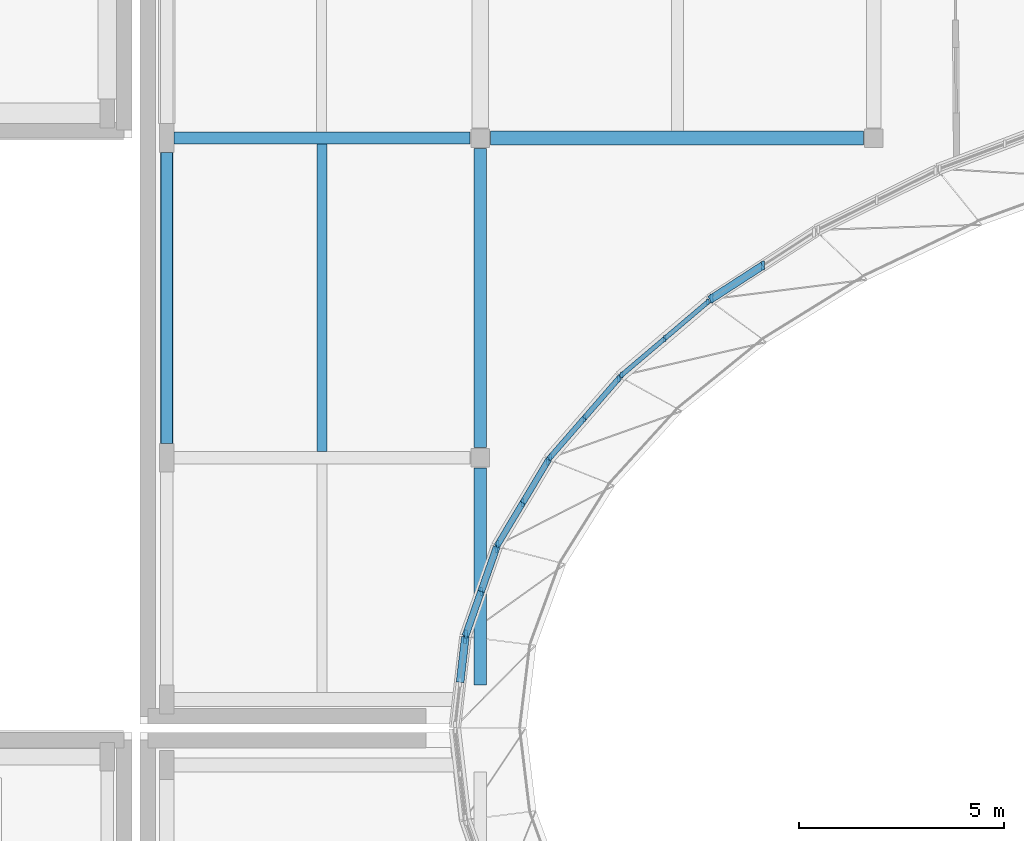
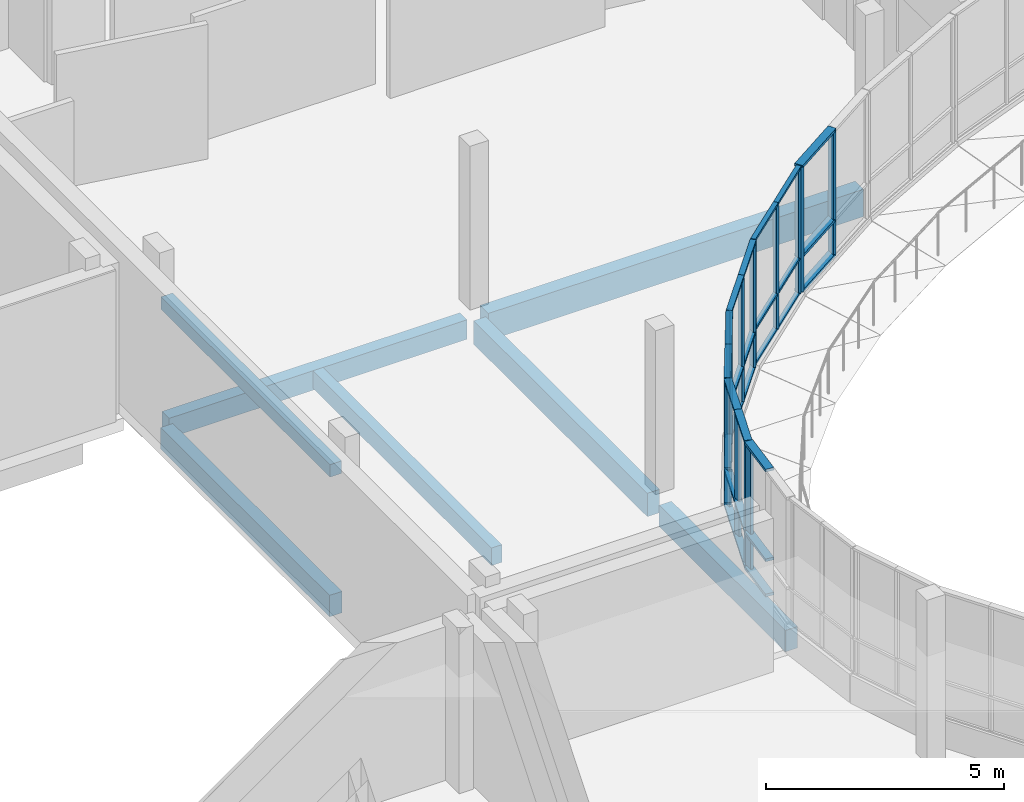
# One storey, part 20 of 73: 45 members, 7 beams, 6 elements without a shape of their own.
"""IFC4 building model written with IfcOpenShell, lengths in metres."""

import ifcopenshell
import ifcopenshell.guid

model = None  # the IFC model being written
_history = None  # IfcOwnerHistory: only IFC2X3 demands one
_inside = {}  # id of a spatial element -> (the spatial element, [elements in it])
_under = {}  # id of a project, library or spatial element -> (it, [spatial elements below it])
_declared = {}  # id of a project -> (the project, [libraries it declares])
_typed = {}  # id of a type object -> (the type object, [elements of that type])
_made_of = {}  # id of a material, layer set ... -> (it, [elements and type objects made of it])


def new_model(schema):
    """Start an empty IFC model of exactly this schema.

    Asked for "IFC4X3", IfcOpenShell would pick the latest addendum, in which some entities
    have other attributes; the version numbers below select the first issue.
    IFC2X3 requires an IfcOwnerHistory on every rooted entity: one is made here for all.
    """
    global model, _history
    if schema == "IFC4X3":
        model = ifcopenshell.file(schema_version=(4, 3, 0, 0))
    else:
        model = ifcopenshell.file(schema=schema)
    _inside.clear()
    _under.clear()
    _declared.clear()
    _typed.clear()
    _made_of.clear()
    _history = None
    if model.schema == "IFC2X3":
        org = make("IfcOrganization", Name="unknown")
        user = make(
            "IfcPersonAndOrganization",
            ThePerson=make("IfcPerson", FamilyName="unknown"),
            TheOrganization=org,
        )
        app = make(
            "IfcApplication",
            ApplicationDeveloper=org,
            Version="unknown",
            ApplicationFullName="unknown",
            ApplicationIdentifier="unknown",
        )
        _history = make(
            "IfcOwnerHistory",
            OwningUser=user,
            OwningApplication=app,
            ChangeAction="ADDED",
            CreationDate=0,
        )
    return model


def make(cls, **values):
    """One entity of the class cls with the attributes given. An attribute that is None is left unset."""
    return model.create_entity(
        cls, **{name: value for name, value in values.items() if value is not None}
    )


def rooted(cls, **values):
    """An entity with a GlobalId (a new one), such as an element, a storey or a relation."""
    return make(cls, GlobalId=ifcopenshell.guid.new(), OwnerHistory=_history, **values)


def si_unit(unit_type, name, prefix=None):
    """IfcSIUnit, for example si_unit("LENGTHUNIT", "METRE", prefix="MILLI")."""
    return make("IfcSIUnit", UnitType=unit_type, Prefix=prefix, Name=name)


def assignment(units):
    """IfcUnitAssignment: the units of a project."""
    return None if units is None else make("IfcUnitAssignment", Units=units)


def point(xyz):
    """IfcCartesianPoint."""
    return None if xyz is None else make("IfcCartesianPoint", Coordinates=xyz)


def direction(xyz):
    """IfcDirection."""
    return None if xyz is None else make("IfcDirection", DirectionRatios=xyz)


def frame(location, z_axis=None, x_axis=None):
    """IfcAxis2Placement3D, a coordinate frame: its origin and axes. An axis left out is left unset."""
    return make(
        "IfcAxis2Placement3D",
        Location=point(location),
        Axis=direction(z_axis),
        RefDirection=direction(x_axis),
    )


def frame_2d(location, x_axis=None):
    """IfcAxis2Placement2D, a coordinate frame in the plane: its origin and x axis."""
    return make(
        "IfcAxis2Placement2D", Location=point(location), RefDirection=direction(x_axis)
    )


def origin():
    """The frame at (0, 0, 0) with its axes left unset."""
    return frame((0.0, 0.0, 0.0))


def origin_2d():
    """The frame at (0, 0) in the plane with its x axis left unset."""
    return frame_2d((0.0, 0.0))


def place(relative_to, where):
    """IfcLocalPlacement: puts the frame where relative to a parent placement (None: the world)."""
    return make(
        "IfcLocalPlacement", PlacementRelTo=relative_to, RelativePlacement=where
    )


def context(
    kind, dimensions, precision=None, world=None, true_north=None, identifier=None
):
    """IfcGeometricRepresentationContext, for example the 3D "Model" context."""
    return make(
        "IfcGeometricRepresentationContext",
        ContextIdentifier=identifier,
        ContextType=kind,
        CoordinateSpaceDimension=dimensions,
        Precision=precision,
        WorldCoordinateSystem=world,
        TrueNorth=true_north,
    )


def subcontext(parent, identifier, kind, view, scale=None):
    """IfcGeometricRepresentationSubContext, for example "Body" below "Model"."""
    return make(
        "IfcGeometricRepresentationSubContext",
        ContextIdentifier=identifier,
        ContextType=kind,
        ParentContext=parent,
        TargetScale=scale,
        TargetView=view,
    )


def project(units=None, contexts=None):
    """IfcProject with its units and contexts."""
    return rooted(
        "IfcProject",
        Name="project",
        RepresentationContexts=contexts,
        UnitsInContext=assignment(units),
    )


def spatial(cls, under=None, at=None, **own):
    """A site, building, storey or space (cls), placed at a placement, below another one or the project."""
    s = rooted(cls, ObjectPlacement=at, **own)
    if under is not None:
        _under.setdefault(under.id(), (under, []))[1].append(s)
    return s


def profile(cls, at=None, kind="AREA", **sizes):
    """A parametric profile (cls). Its sizes go by their IFC names, for example OverallWidth=200.0."""
    return make(cls, ProfileType=kind, Position=at, **sizes)


def rectangle(**sizes):
    """IfcRectangleProfileDef."""
    return profile("IfcRectangleProfileDef", **sizes)


def extrude(swept, where, along, depth):
    """IfcExtrudedAreaSolid: the profile swept, set in the frame where, extruded along a direction by depth."""
    return make(
        "IfcExtrudedAreaSolid",
        SweptArea=swept,
        Position=where,
        ExtrudedDirection=direction(along),
        Depth=depth,
    )


def shape(context_of_items, identifier, shape_type, items):
    """IfcShapeRepresentation: the items that make up one representation, for example the "Body"."""
    return make(
        "IfcShapeRepresentation",
        ContextOfItems=context_of_items,
        RepresentationIdentifier=identifier,
        RepresentationType=shape_type,
        Items=items,
    )


def material(Name=None, Category=None):
    """IfcMaterial."""
    return make("IfcMaterial", Name=Name, Category=Category)


def material_profile(
    of_material, cross_section, Name=None, Category=None, Priority=None
):
    """IfcMaterialProfile: a cross section and its material."""
    return make(
        "IfcMaterialProfile",
        Name=Name,
        Material=of_material,
        Profile=cross_section,
        Priority=Priority,
        Category=Category,
    )


def profile_set(profiles, Name=None, composite=None):
    """IfcMaterialProfileSet."""
    return make(
        "IfcMaterialProfileSet",
        Name=Name,
        MaterialProfiles=profiles,
        CompositeProfile=composite,
    )


def made_of(thing, what):
    """Note that an element or type object is made of a material, layer set ...; save() writes the relation."""
    if what is not None:
        _made_of.setdefault(what.id(), (what, []))[1].append(thing)
    return thing


def type_object(cls, material=None, **own):
    """A type object (cls), such as IfcWallType, which elements share."""
    return made_of(rooted(cls, **own), material)


def element(
    cls,
    number,
    at=None,
    inside=None,
    cuts=None,
    type_object=None,
    material=None,
    context=None,
    identifier="Body",
    shape_type=None,
    held_by="IfcProductDefinitionShape",
    body=None,
    shapes=None,
    **own,
):
    """One element of the class cls, such as IfcWall. Its Tag is "e" and its number.

    at: its placement. inside: the storey or other place that contains it. cuts: it is an
    opening in that element (IfcRelVoidsElement). A single representation is given by context,
    identifier, shape_type and body (its items); several are given by shapes. held_by: the class
    of the entity that holds the representations. save() writes the other relations.
    """
    e = rooted(cls, Tag="e%d" % number, ObjectPlacement=at, **own)
    if body is not None:
        shapes = [shape(context, identifier, shape_type, body)]
    if shapes is not None:
        e.Representation = make(held_by, Representations=shapes)
    if inside is not None:
        _inside.setdefault(inside.id(), (inside, []))[1].append(e)
    if cuts is not None:
        rooted(
            "IfcRelVoidsElement", RelatingBuildingElement=cuts, RelatedOpeningElement=e
        )
    if type_object is not None:
        _typed.setdefault(type_object.id(), (type_object, []))[1].append(e)
    return made_of(e, material)


def aggregate(whole, parts):
    """IfcRelAggregates: a whole, such as a stair, and the parts it consists of."""
    return rooted("IfcRelAggregates", RelatingObject=whole, RelatedObjects=parts)


def save(model, path):
    """Write the relations noted so far, then the file.

    IfcRelAggregates (storeys below a building ...), IfcRelContainedInSpatialStructure (elements
    in a storey), IfcRelDefinesByType, IfcRelAssociatesMaterial and IfcRelDeclares: one each for
    every whole, place, type object, material and project.
    """
    for whole, parts in _under.values():
        aggregate(whole, parts)
    for where, things in _inside.values():
        rooted(
            "IfcRelContainedInSpatialStructure",
            RelatedElements=things,
            RelatingStructure=where,
        )
    for kind, things in _typed.values():
        rooted("IfcRelDefinesByType", RelatedObjects=things, RelatingType=kind)
    for what, things in _made_of.values():
        rooted("IfcRelAssociatesMaterial", RelatedObjects=things, RelatingMaterial=what)
    for by, libraries in _declared.values():
        rooted("IfcRelDeclares", RelatingContext=by, RelatedDefinitions=libraries)
    model.write(path)


model = new_model("IFC4")

# Units and contexts
model_context = context("Model", 3, precision=1e-05, world=origin(), true_north=direction((0.0, 1.0)))
body_context = subcontext(model_context, "Body", "Model", "MODEL_VIEW")
ifc_project = project(units=[si_unit("LENGTHUNIT", "METRE"), si_unit("AREAUNIT", "SQUARE_METRE"), si_unit("VOLUMEUNIT", "CUBIC_METRE"), si_unit("PLANEANGLEUNIT", "RADIAN"), si_unit("MASSUNIT", "GRAM", prefix="KILO")], contexts=[model_context])

# Site, building, storey
site_placement = place(None, origin())
site = spatial("IfcSite", under=ifc_project, at=site_placement, CompositionType="ELEMENT")
building_placement = place(site_placement, origin())
building = spatial("IfcBuilding", under=site, at=building_placement, Name="Mzevani Central Library", CompositionType="ELEMENT")
storey_placement = place(building_placement, frame((0.0, 0.0, 9.60009765625)))
storey = spatial("IfcBuildingStorey", under=building, at=storey_placement, Name="L02", CompositionType="ELEMENT", Elevation=9.60009765625)

# Beams
ifc_material_1 = material(Name="Concrete C35/45", Category="concrete")
ifc_material_profile_1 = material_profile(ifc_material_1, rectangle(XDim=0.300048828125, YDim=0.5, at=origin_2d()), Name="RC B300x500")
ifc_profile_set_1 = profile_set([ifc_material_profile_1], Name="Concrete C35/45")
beam_type_1 = type_object("IfcBeamType", Name="Beam RC 300x500", PredefinedType="BEAM", material=ifc_profile_set_1)
beam_1_placement = place(storey_placement, frame((46.925048828125, 90.39990234375, -0.530029296875), z_axis=(1.0, 0.0, 0.0), x_axis=(0.0, 1.0, 0.0)))
element("IfcBeam", 1, at=beam_1_placement, inside=storey, type_object=beam_type_1, Name="L02 V3 Girder B-01 (560)", PredefinedType="BEAM", context=body_context, shape_type="SweptSolid", body=[
    extrude(rectangle(XDim=0.300048828125, YDim=0.5, at=origin_2d()), origin(), (0.0, 0.0, 1.0), 7.224853515625),
])
ifc_material_profile_2 = material_profile(ifc_material_1, rectangle(XDim=0.300048828125, YDim=0.550048828125, at=origin_2d()), Name="RC B300x550")
ifc_profile_set_2 = profile_set([ifc_material_profile_2], Name="Concrete C35/45")
beam_type_2 = type_object("IfcBeamType", Name="Beam RC 300x550", PredefinedType="BEAM", material=ifc_profile_set_2)
beam_2_placement = place(storey_placement, frame((46.75, 82.949951171875, -0.55517578125), z_axis=(0.0, 1.0, 0.0), x_axis=(-1.0, 0.0, 0.0)))
element("IfcBeam", 2, at=beam_2_placement, inside=storey, type_object=beam_type_2, Name="L02 V3 Frame Beam B-02 (589)", PredefinedType="BEAM", context=body_context, shape_type="SweptSolid", body=[
    extrude(rectangle(XDim=0.300048828125, YDim=0.550048828125, at=origin_2d()), origin(), (0.0, 0.0, 1.0), 7.10009765625),
])
beam_3_placement = place(storey_placement, frame((54.39990234375, 77.050048828125, -0.55517578125), z_axis=(0.0, 1.0, 0.0), x_axis=(-1.0, 0.0, 0.0)))
element("IfcBeam", 3, at=beam_3_placement, inside=storey, type_object=beam_type_2, Name="L02 V3 Frame Beam B-02 (593)", PredefinedType="BEAM", context=body_context, shape_type="SweptSolid", body=[
    extrude(rectangle(XDim=0.300048828125, YDim=0.550048828125, at=origin_2d()), origin(), (0.0, 0.0, 1.0), 5.300048828125),
])
ifc_material_profile_3 = material_profile(ifc_material_1, rectangle(XDim=0.300048828125, YDim=0.60009765625, at=origin_2d()), Name="RC B300x600")
ifc_profile_set_3 = profile_set([ifc_material_profile_3], Name="Concrete C35/45")
beam_type_3 = type_object("IfcBeamType", Name="Beam RC 300x600", PredefinedType="BEAM", material=ifc_profile_set_3)
beam_4_placement = place(storey_placement, frame((54.39990234375, 82.85009765625, -0.580078125), z_axis=(0.0, 1.0, 0.0), x_axis=(-1.0, 0.0, 0.0)))
element("IfcBeam", 4, at=beam_4_placement, inside=storey, type_object=beam_type_3, Name="L02 V3 Frame Beam B-03 (594)", PredefinedType="BEAM", context=body_context, shape_type="SweptSolid", body=[
    extrude(rectangle(XDim=0.300048828125, YDim=0.60009765625, at=origin_2d()), origin(), (0.0, 0.0, 1.0), 7.2998046875),
])
ifc_material_profile_4 = material_profile(ifc_material_1, rectangle(XDim=0.35009765625, YDim=0.699951171875, at=origin_2d()), Name="RC B350x700")
ifc_profile_set_4 = profile_set([ifc_material_profile_4], Name="Concrete C35/45")
beam_type_4 = type_object("IfcBeamType", Name="Beam RC 350x700", PredefinedType="BEAM", material=ifc_profile_set_4)
beam_5_placement = place(storey_placement, frame((54.64990234375, 90.39990234375, -0.630126953125), z_axis=(1.0, 0.0, 0.0), x_axis=(0.0, 1.0, 0.0)))
element("IfcBeam", 5, at=beam_5_placement, inside=storey, type_object=beam_type_4, Name="L02 V3 Girder B-06 (561)", PredefinedType="BEAM", context=body_context, shape_type="SweptSolid", body=[
    extrude(rectangle(XDim=0.35009765625, YDim=0.699951171875, at=origin_2d()), origin(), (0.0, 0.0, 1.0), 9.10009765625),
])

# Curtain wall, members
ifc_material_2 = material(Name="Thermally broken aluminium and Low-E triple glazing", Category="aluminium")
curtain_wall_type_1 = type_object("IfcCurtainWallType", Name="Elliptical Court Unitised Curtain Wall", PredefinedType="NOTDEFINED", material=ifc_material_2)
curtain_wall_1_placement = place(storey_placement, origin())
curtain_wall_1 = element("IfcCurtainWall", 6, at=curtain_wall_1_placement, inside=storey, type_object=curtain_wall_type_1, Name="L02 Elliptical Court Curtain Wall 20", PredefinedType="NOTDEFINED")
ifc_material_3 = material(Name="Thermally broken aluminium AW-6060", Category="aluminium")
ifc_material_profile_5 = material_profile(ifc_material_3, rectangle(XDim=0.06005859375, YDim=0.139892578125, at=origin_2d()), Name="ALU M60x140")
ifc_profile_set_5 = profile_set([ifc_material_profile_5], Name="Thermally broken aluminium AW-6060")
member_type_1 = type_object("IfcMemberType", Name="CW Mullion 60x140", PredefinedType="MULLION", material=ifc_profile_set_5)
member_1_placement = place(storey_placement, frame((59.95556640625, 86.402099609375, 0.719970703125), z_axis=(0.0, 0.0, 1.0), x_axis=(1.0, 0.0, 0.0)))
member_1 = element("IfcMember", 7, at=member_1_placement, type_object=member_type_1, Name="L02 Elliptical Court Curtain Wall 20 Mullion 1", PredefinedType="MULLION", context=body_context, shape_type="SweptSolid", body=[
    extrude(rectangle(XDim=0.06005859375, YDim=0.139892578125, at=origin_2d()), origin(), (0.0, 0.0, 1.0), 3.199951171875),
])
member_2_placement = place(storey_placement, frame((58.903564453125, 85.50927734375, 0.719970703125), z_axis=(0.0, 0.0, 1.0), x_axis=(1.0, 0.0, 0.0)))
member_2 = element("IfcMember", 8, at=member_2_placement, type_object=member_type_1, Name="L02 Elliptical Court Curtain Wall 20 Mullion 2", PredefinedType="MULLION", context=body_context, shape_type="SweptSolid", body=[
    extrude(rectangle(XDim=0.06005859375, YDim=0.139892578125, at=origin_2d()), origin(), (0.0, 0.0, 1.0), 3.199951171875),
])
member_3_placement = place(storey_placement, frame((57.8515625, 84.616455078125, 0.719970703125), z_axis=(0.0, 0.0, 1.0), x_axis=(1.0, 0.0, 0.0)))
member_3 = element("IfcMember", 9, at=member_3_placement, type_object=member_type_1, Name="L02 Elliptical Court Curtain Wall 20 Mullion 3", PredefinedType="MULLION", context=body_context, shape_type="SweptSolid", body=[
    extrude(rectangle(XDim=0.06005859375, YDim=0.139892578125, at=origin_2d()), origin(), (0.0, 0.0, 1.0), 3.199951171875),
])

curtain_wall_2_placement = place(storey_placement, origin())
curtain_wall_2 = element("IfcCurtainWall", 10, at=curtain_wall_2_placement, inside=storey, type_object=curtain_wall_type_1, Name="L02 Elliptical Court Curtain Wall 21", PredefinedType="NOTDEFINED")
ifc_material_profile_6 = material_profile(ifc_material_3, rectangle(XDim=0.06005859375, YDim=0.159912109375, at=origin_2d()), Name="ALU M60x160")
ifc_profile_set_6 = profile_set([ifc_material_profile_6], Name="Thermally broken aluminium AW-6060")
member_type_2 = type_object("IfcMemberType", Name="CW Mullion 60x160", PredefinedType="MULLION", material=ifc_profile_set_6)
member_4_placement = place(storey_placement, frame((57.774658203125, 84.527587890625, 0.719970703125), z_axis=(0.0, 0.0, 1.0), x_axis=(1.0, 0.0, 0.0)))
member_4 = element("IfcMember", 11, at=member_4_placement, type_object=member_type_2, Name="L02 Elliptical Court Curtain Wall 21 Mullion 1", PredefinedType="MULLION", context=body_context, shape_type="SweptSolid", body=[
    extrude(rectangle(XDim=0.06005859375, YDim=0.159912109375, at=origin_2d()), origin(), (0.0, 0.0, 1.0), 3.199951171875),
])
member_5_placement = place(storey_placement, frame((56.939453125, 83.5673828125, 0.719970703125), z_axis=(0.0, 0.0, 1.0), x_axis=(1.0, 0.0, 0.0)))
member_5 = element("IfcMember", 12, at=member_5_placement, type_object=member_type_2, Name="L02 Elliptical Court Curtain Wall 21 Mullion 2", PredefinedType="MULLION", context=body_context, shape_type="SweptSolid", body=[
    extrude(rectangle(XDim=0.06005859375, YDim=0.159912109375, at=origin_2d()), origin(), (0.0, 0.0, 1.0), 3.199951171875),
])
member_6_placement = place(storey_placement, frame((56.1044921875, 82.607421875, 0.719970703125), z_axis=(0.0, 0.0, 1.0), x_axis=(1.0, 0.0, 0.0)))
member_6 = element("IfcMember", 13, at=member_6_placement, type_object=member_type_2, Name="L02 Elliptical Court Curtain Wall 21 Mullion 3", PredefinedType="MULLION", context=body_context, shape_type="SweptSolid", body=[
    extrude(rectangle(XDim=0.06005859375, YDim=0.159912109375, at=origin_2d()), origin(), (0.0, 0.0, 1.0), 3.199951171875),
])

curtain_wall_type_2 = type_object("IfcCurtainWallType", Name="Reading Hall Northlight Curtain Wall", PredefinedType="NOTDEFINED", material=ifc_material_2)
curtain_wall_3_placement = place(storey_placement, origin())
curtain_wall_3 = element("IfcCurtainWall", 14, at=curtain_wall_3_placement, inside=storey, type_object=curtain_wall_type_2, Name="L02 Elliptical Court Curtain Wall 22", PredefinedType="NOTDEFINED")
ifc_material_profile_7 = material_profile(ifc_material_3, rectangle(XDim=0.06005859375, YDim=0.179931640625, at=origin_2d()), Name="ALU M60x180")
ifc_profile_set_7 = profile_set([ifc_material_profile_7], Name="Thermally broken aluminium AW-6060")
member_type_3 = type_object("IfcMemberType", Name="CW Mullion 60x180", PredefinedType="MULLION", material=ifc_profile_set_7)
member_7_placement = place(storey_placement, frame((56.0419921875, 82.509033203125, 0.719970703125), z_axis=(0.0, 0.0, 1.0), x_axis=(1.0, 0.0, 0.0)))
member_7 = element("IfcMember", 15, at=member_7_placement, type_object=member_type_3, Name="L02 Elliptical Court Curtain Wall 22 Mullion 1", PredefinedType="MULLION", context=body_context, shape_type="SweptSolid", body=[
    extrude(rectangle(XDim=0.06005859375, YDim=0.179931640625, at=origin_2d()), origin(), (0.0, 0.0, 1.0), 3.199951171875),
])
member_8_placement = place(storey_placement, frame((55.43701171875, 81.498291015625, 0.719970703125), z_axis=(0.0, 0.0, 1.0), x_axis=(1.0, 0.0, 0.0)))
member_8 = element("IfcMember", 16, at=member_8_placement, type_object=member_type_3, Name="L02 Elliptical Court Curtain Wall 22 Mullion 2", PredefinedType="MULLION", context=body_context, shape_type="SweptSolid", body=[
    extrude(rectangle(XDim=0.06005859375, YDim=0.179931640625, at=origin_2d()), origin(), (0.0, 0.0, 1.0), 3.199951171875),
])
member_9_placement = place(storey_placement, frame((54.831787109375, 80.487548828125, 0.719970703125), z_axis=(0.0, 0.0, 1.0), x_axis=(1.0, 0.0, 0.0)))
member_9 = element("IfcMember", 17, at=member_9_placement, type_object=member_type_3, Name="L02 Elliptical Court Curtain Wall 22 Mullion 3", PredefinedType="MULLION", context=body_context, shape_type="SweptSolid", body=[
    extrude(rectangle(XDim=0.06005859375, YDim=0.179931640625, at=origin_2d()), origin(), (0.0, 0.0, 1.0), 3.199951171875),
])

curtain_wall_4_placement = place(storey_placement, origin())
curtain_wall_4 = element("IfcCurtainWall", 18, at=curtain_wall_4_placement, inside=storey, type_object=curtain_wall_type_1, Name="L02 Elliptical Court Curtain Wall 23", PredefinedType="NOTDEFINED")
ifc_material_profile_8 = material_profile(ifc_material_3, rectangle(XDim=0.06494140625, YDim=0.199951171875, at=origin_2d()), Name="ALU M65x200")
ifc_profile_set_8 = profile_set([ifc_material_profile_8], Name="Thermally broken aluminium AW-6060")
member_type_4 = type_object("IfcMemberType", Name="CW Mullion 65x200", PredefinedType="MULLION", material=ifc_profile_set_8)
member_10_placement = place(storey_placement, frame((54.787109375, 80.380615234375, 0.719970703125), z_axis=(0.0, 0.0, 1.0), x_axis=(1.0, 0.0, 0.0)))
member_10 = element("IfcMember", 19, at=member_10_placement, type_object=member_type_4, Name="L02 Elliptical Court Curtain Wall 23 Mullion 1", PredefinedType="MULLION", context=body_context, shape_type="SweptSolid", body=[
    extrude(rectangle(XDim=0.06494140625, YDim=0.199951171875, at=origin_2d()), origin(), (0.0, 0.0, 1.0), 3.199951171875),
])
member_11_placement = place(storey_placement, frame((54.4208984375, 79.33642578125, 0.719970703125), z_axis=(0.0, 0.0, 1.0), x_axis=(1.0, 0.0, 0.0)))
member_11 = element("IfcMember", 20, at=member_11_placement, type_object=member_type_4, Name="L02 Elliptical Court Curtain Wall 23 Mullion 2", PredefinedType="MULLION", context=body_context, shape_type="SweptSolid", body=[
    extrude(rectangle(XDim=0.06494140625, YDim=0.199951171875, at=origin_2d()), origin(), (0.0, 0.0, 1.0), 3.199951171875),
])
member_12_placement = place(storey_placement, frame((54.054443359375, 78.29248046875, 0.719970703125), z_axis=(0.0, 0.0, 1.0), x_axis=(1.0, 0.0, 0.0)))
member_12 = element("IfcMember", 21, at=member_12_placement, type_object=member_type_4, Name="L02 Elliptical Court Curtain Wall 23 Mullion 3", PredefinedType="MULLION", context=body_context, shape_type="SweptSolid", body=[
    extrude(rectangle(XDim=0.06494140625, YDim=0.199951171875, at=origin_2d()), origin(), (0.0, 0.0, 1.0), 3.199951171875),
])

curtain_wall_5_placement = place(storey_placement, origin())
curtain_wall_5 = element("IfcCurtainWall", 22, at=curtain_wall_5_placement, inside=storey, type_object=curtain_wall_type_2, Name="L02 Elliptical Court Curtain Wall 19", PredefinedType="NOTDEFINED")
ifc_material_profile_9 = material_profile(ifc_material_3, rectangle(XDim=0.070068359375, YDim=0.219970703125, at=origin_2d()), Name="ALU M70x220")
ifc_profile_set_9 = profile_set([ifc_material_profile_9], Name="Thermally broken aluminium AW-6060")
member_type_5 = type_object("IfcMemberType", Name="CW Mullion 70x220", PredefinedType="MULLION", material=ifc_profile_set_9)
member_13_placement = place(storey_placement, frame((61.296142578125, 87.291015625, 0.719970703125), z_axis=(0.0, 0.0, 1.0), x_axis=(1.0, 0.0, 0.0)))
member_13 = element("IfcMember", 23, at=member_13_placement, type_object=member_type_5, Name="L02 Elliptical Court Curtain Wall 19 Mullion 2", PredefinedType="MULLION", context=body_context, shape_type="SweptSolid", body=[
    extrude(rectangle(XDim=0.070068359375, YDim=0.219970703125, at=origin_2d()), origin(), (0.0, 0.0, 1.0), 3.199951171875),
])
member_14_placement = place(storey_placement, frame((60.04443359375, 86.4814453125, 0.719970703125), z_axis=(0.0, 0.0, 1.0), x_axis=(1.0, 0.0, 0.0)))
member_14 = element("IfcMember", 24, at=member_14_placement, type_object=member_type_5, Name="L02 Elliptical Court Curtain Wall 19 Mullion 3", PredefinedType="MULLION", context=body_context, shape_type="SweptSolid", body=[
    extrude(rectangle(XDim=0.070068359375, YDim=0.219970703125, at=origin_2d()), origin(), (0.0, 0.0, 1.0), 3.199951171875),
])

# Curtain wall, member
curtain_wall_6_placement = place(storey_placement, origin())
curtain_wall_6 = element("IfcCurtainWall", 25, at=curtain_wall_6_placement, inside=storey, type_object=curtain_wall_type_1, Name="L02 Elliptical Court Curtain Wall 24", PredefinedType="NOTDEFINED")
member_15_placement = place(storey_placement, frame((54.031005859375, 78.178955078125, 0.719970703125), z_axis=(0.0, 0.0, 1.0), x_axis=(1.0, 0.0, 0.0)))
member_15 = element("IfcMember", 26, at=member_15_placement, type_object=member_type_5, Name="L02 Elliptical Court Curtain Wall 24 Mullion 1", PredefinedType="MULLION", context=body_context, shape_type="SweptSolid", body=[
    extrude(rectangle(XDim=0.070068359375, YDim=0.219970703125, at=origin_2d()), origin(), (0.0, 0.0, 1.0), 3.199951171875),
])

# Member
ifc_material_profile_10 = material_profile(ifc_material_3, rectangle(XDim=0.110107421875, YDim=0.06005859375, at=origin_2d()), Name="ALU T60x110")
ifc_profile_set_10 = profile_set([ifc_material_profile_10], Name="Thermally broken aluminium AW-6060")
member_type_6 = type_object("IfcMemberType", Name="CW Transom 60x110", PredefinedType="USERDEFINED", material=ifc_profile_set_10)
member_16_placement = place(storey_placement, frame((59.99365234375, 86.434326171875, 0.719970703125), z_axis=(-0.762465735824, -0.647028594186, 0.0), x_axis=(0.647028594186, -0.762465735824, 0.0)))
member_16 = element("IfcMember", 27, at=member_16_placement, type_object=member_type_6, Name="L02 Elliptical Court Curtain Wall 20 Transom 1", ObjectType="TRANSOM", PredefinedType="USERDEFINED", context=body_context, shape_type="SweptSolid", body=[
    extrude(rectangle(XDim=0.110107421875, YDim=0.06005859375, at=origin_2d()), origin(), (0.0, 0.0, 1.0), 1.4296875),
])

member_17_placement = place(storey_placement, frame((59.99365234375, 86.434326171875, 1.619873046875), z_axis=(-0.762465735824, -0.647028594186, 0.0), x_axis=(0.647028594186, -0.762465735824, 0.0)))
member_17 = element("IfcMember", 28, at=member_17_placement, type_object=member_type_6, Name="L02 Elliptical Court Curtain Wall 20 Transom 2", ObjectType="TRANSOM", PredefinedType="USERDEFINED", context=body_context, shape_type="SweptSolid", body=[
    extrude(rectangle(XDim=0.110107421875, YDim=0.06005859375, at=origin_2d()), origin(), (0.0, 0.0, 1.0), 1.4296875),
])

member_18_placement = place(storey_placement, frame((59.99365234375, 86.434326171875, 3.919921875), z_axis=(-0.762465735824, -0.647028594186, 0.0), x_axis=(0.647028594186, -0.762465735824, 0.0)))
member_18 = element("IfcMember", 29, at=member_18_placement, type_object=member_type_6, Name="L02 Elliptical Court Curtain Wall 20 Transom 3", ObjectType="TRANSOM", PredefinedType="USERDEFINED", context=body_context, shape_type="SweptSolid", body=[
    extrude(rectangle(XDim=0.110107421875, YDim=0.06005859375, at=origin_2d()), origin(), (0.0, 0.0, 1.0), 1.4296875),
])

member_19_placement = place(storey_placement, frame((58.903564453125, 85.50927734375, 0.719970703125), z_axis=(-0.762381493954, -0.647127852651, 0.0), x_axis=(0.647127852651, -0.762381493954, 0.0)))
member_19 = element("IfcMember", 30, at=member_19_placement, type_object=member_type_6, Name="L02 Elliptical Court Curtain Wall 20 Transom 4", ObjectType="TRANSOM", PredefinedType="USERDEFINED", context=body_context, shape_type="SweptSolid", body=[
    extrude(rectangle(XDim=0.110107421875, YDim=0.06005859375, at=origin_2d()), origin(), (0.0, 0.0, 1.0), 1.429931640625),
])

member_20_placement = place(storey_placement, frame((58.903564453125, 85.50927734375, 1.619873046875), z_axis=(-0.762381493954, -0.647127852651, 0.0), x_axis=(0.647127852651, -0.762381493954, 0.0)))
member_20 = element("IfcMember", 31, at=member_20_placement, type_object=member_type_6, Name="L02 Elliptical Court Curtain Wall 20 Transom 5", ObjectType="TRANSOM", PredefinedType="USERDEFINED", context=body_context, shape_type="SweptSolid", body=[
    extrude(rectangle(XDim=0.110107421875, YDim=0.06005859375, at=origin_2d()), origin(), (0.0, 0.0, 1.0), 1.429931640625),
])

member_21_placement = place(storey_placement, frame((58.903564453125, 85.50927734375, 3.919921875), z_axis=(-0.762381493954, -0.647127852651, 0.0), x_axis=(0.647127852651, -0.762381493954, 0.0)))
member_21 = element("IfcMember", 32, at=member_21_placement, type_object=member_type_6, Name="L02 Elliptical Court Curtain Wall 20 Transom 6", ObjectType="TRANSOM", PredefinedType="USERDEFINED", context=body_context, shape_type="SweptSolid", body=[
    extrude(rectangle(XDim=0.110107421875, YDim=0.06005859375, at=origin_2d()), origin(), (0.0, 0.0, 1.0), 1.429931640625),
])

aggregate(curtain_wall_1, [member_1, member_2, member_3, member_16, member_17, member_18, member_19, member_20, member_21])

ifc_material_profile_11 = material_profile(ifc_material_3, rectangle(XDim=0.1298828125, YDim=0.06005859375, at=origin_2d()), Name="ALU T60x130")
ifc_profile_set_11 = profile_set([ifc_material_profile_11], Name="Thermally broken aluminium AW-6060")
member_type_7 = type_object("IfcMemberType", Name="CW Transom 60x130", PredefinedType="USERDEFINED", material=ifc_profile_set_11)
member_22_placement = place(storey_placement, frame((57.807373046875, 84.5654296875, 0.719970703125), z_axis=(-0.656201564286, -0.754585652546, 0.0), x_axis=(0.754585652546, -0.656201564286, 0.0)))
member_22 = element("IfcMember", 33, at=member_22_placement, type_object=member_type_7, Name="L02 Elliptical Court Curtain Wall 21 Transom 1", ObjectType="TRANSOM", PredefinedType="USERDEFINED", context=body_context, shape_type="SweptSolid", body=[
    extrude(rectangle(XDim=0.1298828125, YDim=0.06005859375, at=origin_2d()), origin(), (0.0, 0.0, 1.0), 1.32275390625),
])

member_23_placement = place(storey_placement, frame((57.807373046875, 84.5654296875, 1.619873046875), z_axis=(-0.656201564286, -0.754585652546, 0.0), x_axis=(0.754585652546, -0.656201564286, 0.0)))
member_23 = element("IfcMember", 34, at=member_23_placement, type_object=member_type_7, Name="L02 Elliptical Court Curtain Wall 21 Transom 2", ObjectType="TRANSOM", PredefinedType="USERDEFINED", context=body_context, shape_type="SweptSolid", body=[
    extrude(rectangle(XDim=0.1298828125, YDim=0.06005859375, at=origin_2d()), origin(), (0.0, 0.0, 1.0), 1.32275390625),
])

member_24_placement = place(storey_placement, frame((57.807373046875, 84.5654296875, 3.919921875), z_axis=(-0.656201564286, -0.754585652546, 0.0), x_axis=(0.754585652546, -0.656201564286, 0.0)))
member_24 = element("IfcMember", 35, at=member_24_placement, type_object=member_type_7, Name="L02 Elliptical Court Curtain Wall 21 Transom 3", ObjectType="TRANSOM", PredefinedType="USERDEFINED", context=body_context, shape_type="SweptSolid", body=[
    extrude(rectangle(XDim=0.1298828125, YDim=0.06005859375, at=origin_2d()), origin(), (0.0, 0.0, 1.0), 1.32275390625),
])

member_25_placement = place(storey_placement, frame((56.939453125, 83.5673828125, 0.719970703125), z_axis=(-0.656187857122, -0.754597572329, 0.0), x_axis=(0.754597572329, -0.656187857122, 0.0)))
member_25 = element("IfcMember", 36, at=member_25_placement, type_object=member_type_7, Name="L02 Elliptical Court Curtain Wall 21 Transom 4", ObjectType="TRANSOM", PredefinedType="USERDEFINED", context=body_context, shape_type="SweptSolid", body=[
    extrude(rectangle(XDim=0.1298828125, YDim=0.06005859375, at=origin_2d()), origin(), (0.0, 0.0, 1.0), 1.322265625),
])

member_26_placement = place(storey_placement, frame((56.939453125, 83.5673828125, 1.619873046875), z_axis=(-0.656187857122, -0.754597572329, 0.0), x_axis=(0.754597572329, -0.656187857122, 0.0)))
member_26 = element("IfcMember", 37, at=member_26_placement, type_object=member_type_7, Name="L02 Elliptical Court Curtain Wall 21 Transom 5", ObjectType="TRANSOM", PredefinedType="USERDEFINED", context=body_context, shape_type="SweptSolid", body=[
    extrude(rectangle(XDim=0.1298828125, YDim=0.06005859375, at=origin_2d()), origin(), (0.0, 0.0, 1.0), 1.322265625),
])

member_27_placement = place(storey_placement, frame((56.939453125, 83.5673828125, 3.919921875), z_axis=(-0.656187857122, -0.754597572329, 0.0), x_axis=(0.754597572329, -0.656187857122, 0.0)))
member_27 = element("IfcMember", 38, at=member_27_placement, type_object=member_type_7, Name="L02 Elliptical Court Curtain Wall 21 Transom 6", ObjectType="TRANSOM", PredefinedType="USERDEFINED", context=body_context, shape_type="SweptSolid", body=[
    extrude(rectangle(XDim=0.1298828125, YDim=0.06005859375, at=origin_2d()), origin(), (0.0, 0.0, 1.0), 1.322265625),
])

aggregate(curtain_wall_2, [member_4, member_5, member_6, member_22, member_23, member_24, member_25, member_26, member_27])

ifc_material_profile_12 = material_profile(ifc_material_3, rectangle(XDim=0.14990234375, YDim=0.06005859375, at=origin_2d()), Name="ALU T60x150")
ifc_profile_set_12 = profile_set([ifc_material_profile_12], Name="Thermally broken aluminium AW-6060")
member_type_8 = type_object("IfcMemberType", Name="CW Transom 60x150", PredefinedType="USERDEFINED", material=ifc_profile_set_12)
member_28_placement = place(storey_placement, frame((56.067626953125, 82.552001953125, 0.719970703125), z_axis=(-0.513530608291, -0.858071275797, 0.0), x_axis=(0.858071275797, -0.513530608291, 0.0)))
member_28 = element("IfcMember", 39, at=member_28_placement, type_object=member_type_8, Name="L02 Elliptical Court Curtain Wall 22 Transom 1", ObjectType="TRANSOM", PredefinedType="USERDEFINED", context=body_context, shape_type="SweptSolid", body=[
    extrude(rectangle(XDim=0.14990234375, YDim=0.06005859375, at=origin_2d()), origin(), (0.0, 0.0, 1.0), 1.22802734375),
])

member_29_placement = place(storey_placement, frame((56.067626953125, 82.552001953125, 1.619873046875), z_axis=(-0.513530608291, -0.858071275797, 0.0), x_axis=(0.858071275797, -0.513530608291, 0.0)))
member_29 = element("IfcMember", 40, at=member_29_placement, type_object=member_type_8, Name="L02 Elliptical Court Curtain Wall 22 Transom 2", ObjectType="TRANSOM", PredefinedType="USERDEFINED", context=body_context, shape_type="SweptSolid", body=[
    extrude(rectangle(XDim=0.14990234375, YDim=0.06005859375, at=origin_2d()), origin(), (0.0, 0.0, 1.0), 1.22802734375),
])

member_30_placement = place(storey_placement, frame((56.067626953125, 82.552001953125, 3.919921875), z_axis=(-0.513530608291, -0.858071275797, 0.0), x_axis=(0.858071275797, -0.513530608291, 0.0)))
member_30 = element("IfcMember", 41, at=member_30_placement, type_object=member_type_8, Name="L02 Elliptical Court Curtain Wall 22 Transom 3", ObjectType="TRANSOM", PredefinedType="USERDEFINED", context=body_context, shape_type="SweptSolid", body=[
    extrude(rectangle(XDim=0.14990234375, YDim=0.06005859375, at=origin_2d()), origin(), (0.0, 0.0, 1.0), 1.22802734375),
])

member_31_placement = place(storey_placement, frame((55.43701171875, 81.498291015625, 0.719970703125), z_axis=(-0.513676968205, -0.857983666707, 0.0), x_axis=(0.857983666707, -0.513676968205, 0.0)))
member_31 = element("IfcMember", 42, at=member_31_placement, type_object=member_type_8, Name="L02 Elliptical Court Curtain Wall 22 Transom 4", ObjectType="TRANSOM", PredefinedType="USERDEFINED", context=body_context, shape_type="SweptSolid", body=[
    extrude(rectangle(XDim=0.14990234375, YDim=0.06005859375, at=origin_2d()), origin(), (0.0, 0.0, 1.0), 1.22802734375),
])

member_32_placement = place(storey_placement, frame((55.43701171875, 81.498291015625, 1.619873046875), z_axis=(-0.513676968205, -0.857983666707, 0.0), x_axis=(0.857983666707, -0.513676968205, 0.0)))
member_32 = element("IfcMember", 43, at=member_32_placement, type_object=member_type_8, Name="L02 Elliptical Court Curtain Wall 22 Transom 5", ObjectType="TRANSOM", PredefinedType="USERDEFINED", context=body_context, shape_type="SweptSolid", body=[
    extrude(rectangle(XDim=0.14990234375, YDim=0.06005859375, at=origin_2d()), origin(), (0.0, 0.0, 1.0), 1.22802734375),
])

member_33_placement = place(storey_placement, frame((55.43701171875, 81.498291015625, 3.919921875), z_axis=(-0.513676968205, -0.857983666707, 0.0), x_axis=(0.857983666707, -0.513676968205, 0.0)))
member_33 = element("IfcMember", 44, at=member_33_placement, type_object=member_type_8, Name="L02 Elliptical Court Curtain Wall 22 Transom 6", ObjectType="TRANSOM", PredefinedType="USERDEFINED", context=body_context, shape_type="SweptSolid", body=[
    extrude(rectangle(XDim=0.14990234375, YDim=0.06005859375, at=origin_2d()), origin(), (0.0, 0.0, 1.0), 1.22802734375),
])

aggregate(curtain_wall_3, [member_7, member_8, member_9, member_28, member_29, member_30, member_31, member_32, member_33])

ifc_material_profile_13 = material_profile(ifc_material_3, rectangle(XDim=0.169921875, YDim=0.06494140625, at=origin_2d()), Name="ALU T65x170")
ifc_profile_set_13 = profile_set([ifc_material_profile_13], Name="Thermally broken aluminium AW-6060")
member_type_9 = type_object("IfcMemberType", Name="CW Transom 65x170", PredefinedType="USERDEFINED", material=ifc_profile_set_13)
member_34_placement = place(storey_placement, frame((54.8037109375, 80.427734375, 0.719970703125), z_axis=(-0.331008570157, -0.943627747834, 0.0), x_axis=(0.943627747834, -0.331008570157, 0.0)))
member_34 = element("IfcMember", 45, at=member_34_placement, type_object=member_type_9, Name="L02 Elliptical Court Curtain Wall 23 Transom 1", ObjectType="TRANSOM", PredefinedType="USERDEFINED", context=body_context, shape_type="SweptSolid", body=[
    extrude(rectangle(XDim=0.169921875, YDim=0.06494140625, at=origin_2d()), origin(), (0.0, 0.0, 1.0), 1.156494140625),
])

member_35_placement = place(storey_placement, frame((54.8037109375, 80.427734375, 1.619873046875), z_axis=(-0.331008570157, -0.943627747834, 0.0), x_axis=(0.943627747834, -0.331008570157, 0.0)))
member_35 = element("IfcMember", 46, at=member_35_placement, type_object=member_type_9, Name="L02 Elliptical Court Curtain Wall 23 Transom 2", ObjectType="TRANSOM", PredefinedType="USERDEFINED", context=body_context, shape_type="SweptSolid", body=[
    extrude(rectangle(XDim=0.169921875, YDim=0.06494140625, at=origin_2d()), origin(), (0.0, 0.0, 1.0), 1.156494140625),
])

member_36_placement = place(storey_placement, frame((54.8037109375, 80.427734375, 3.919921875), z_axis=(-0.331008570157, -0.943627747834, 0.0), x_axis=(0.943627747834, -0.331008570157, 0.0)))
member_36 = element("IfcMember", 47, at=member_36_placement, type_object=member_type_9, Name="L02 Elliptical Court Curtain Wall 23 Transom 3", ObjectType="TRANSOM", PredefinedType="USERDEFINED", context=body_context, shape_type="SweptSolid", body=[
    extrude(rectangle(XDim=0.169921875, YDim=0.06494140625, at=origin_2d()), origin(), (0.0, 0.0, 1.0), 1.156494140625),
])

member_37_placement = place(storey_placement, frame((54.4208984375, 79.33642578125, 0.719970703125), z_axis=(-0.331008570157, -0.943627747834, 0.0), x_axis=(0.943627747834, -0.331008570157, 0.0)))
member_37 = element("IfcMember", 48, at=member_37_placement, type_object=member_type_9, Name="L02 Elliptical Court Curtain Wall 23 Transom 4", ObjectType="TRANSOM", PredefinedType="USERDEFINED", context=body_context, shape_type="SweptSolid", body=[
    extrude(rectangle(XDim=0.169921875, YDim=0.06494140625, at=origin_2d()), origin(), (0.0, 0.0, 1.0), 1.156494140625),
])

member_38_placement = place(storey_placement, frame((54.4208984375, 79.33642578125, 1.619873046875), z_axis=(-0.331008570157, -0.943627747834, 0.0), x_axis=(0.943627747834, -0.331008570157, 0.0)))
member_38 = element("IfcMember", 49, at=member_38_placement, type_object=member_type_9, Name="L02 Elliptical Court Curtain Wall 23 Transom 5", ObjectType="TRANSOM", PredefinedType="USERDEFINED", context=body_context, shape_type="SweptSolid", body=[
    extrude(rectangle(XDim=0.169921875, YDim=0.06494140625, at=origin_2d()), origin(), (0.0, 0.0, 1.0), 1.156494140625),
])

member_39_placement = place(storey_placement, frame((54.4208984375, 79.33642578125, 3.919921875), z_axis=(-0.331008570157, -0.943627747834, 0.0), x_axis=(0.943627747834, -0.331008570157, 0.0)))
member_39 = element("IfcMember", 50, at=member_39_placement, type_object=member_type_9, Name="L02 Elliptical Court Curtain Wall 23 Transom 6", ObjectType="TRANSOM", PredefinedType="USERDEFINED", context=body_context, shape_type="SweptSolid", body=[
    extrude(rectangle(XDim=0.169921875, YDim=0.06494140625, at=origin_2d()), origin(), (0.0, 0.0, 1.0), 1.156494140625),
])

aggregate(curtain_wall_4, [member_10, member_11, member_12, member_34, member_35, member_36, member_37, member_38, member_39])

ifc_material_profile_14 = material_profile(ifc_material_3, rectangle(XDim=0.18994140625, YDim=0.070068359375, at=origin_2d()), Name="ALU T70x190")
ifc_profile_set_14 = profile_set([ifc_material_profile_14], Name="Thermally broken aluminium AW-6060")
member_type_10 = type_object("IfcMemberType", Name="CW Transom 70x190", PredefinedType="USERDEFINED", material=ifc_profile_set_14)
member_40_placement = place(storey_placement, frame((61.296142578125, 87.291015625, 0.719970703125), z_axis=(-0.839697677744, -0.543054150147, 0.0), x_axis=(0.543054150147, -0.839697677744, 0.0)))
member_40 = element("IfcMember", 51, at=member_40_placement, type_object=member_type_10, Name="L02 Elliptical Court Curtain Wall 19 Transom 4", ObjectType="TRANSOM", PredefinedType="USERDEFINED", context=body_context, shape_type="SweptSolid", body=[
    extrude(rectangle(XDim=0.18994140625, YDim=0.070068359375, at=origin_2d()), origin(), (0.0, 0.0, 1.0), 1.540771484375),
])

member_41_placement = place(storey_placement, frame((61.296142578125, 87.291015625, 1.619873046875), z_axis=(-0.839697677744, -0.543054150147, 0.0), x_axis=(0.543054150147, -0.839697677744, 0.0)))
member_41 = element("IfcMember", 52, at=member_41_placement, type_object=member_type_10, Name="L02 Elliptical Court Curtain Wall 19 Transom 5", ObjectType="TRANSOM", PredefinedType="USERDEFINED", context=body_context, shape_type="SweptSolid", body=[
    extrude(rectangle(XDim=0.18994140625, YDim=0.070068359375, at=origin_2d()), origin(), (0.0, 0.0, 1.0), 1.540771484375),
])

member_42_placement = place(storey_placement, frame((61.296142578125, 87.291015625, 3.919921875), z_axis=(-0.839697677744, -0.543054150147, 0.0), x_axis=(0.543054150147, -0.839697677744, 0.0)))
member_42 = element("IfcMember", 53, at=member_42_placement, type_object=member_type_10, Name="L02 Elliptical Court Curtain Wall 19 Transom 6", ObjectType="TRANSOM", PredefinedType="USERDEFINED", context=body_context, shape_type="SweptSolid", body=[
    extrude(rectangle(XDim=0.18994140625, YDim=0.070068359375, at=origin_2d()), origin(), (0.0, 0.0, 1.0), 1.540771484375),
])

aggregate(curtain_wall_5, [member_13, member_14, member_40, member_41, member_42])

member_43_placement = place(storey_placement, frame((54.036865234375, 78.228759765625, 0.719970703125), z_axis=(-0.114889397614, -0.993378289634, 0.0), x_axis=(0.993378289634, -0.114889397614, 0.0)))
member_43 = element("IfcMember", 54, at=member_43_placement, type_object=member_type_10, Name="L02 Elliptical Court Curtain Wall 24 Transom 1", ObjectType="TRANSOM", PredefinedType="USERDEFINED", context=body_context, shape_type="SweptSolid", body=[
    extrude(rectangle(XDim=0.18994140625, YDim=0.070068359375, at=origin_2d()), origin(), (0.0, 0.0, 1.0), 1.11767578125),
])

member_44_placement = place(storey_placement, frame((54.036865234375, 78.228759765625, 1.619873046875), z_axis=(-0.114889397614, -0.993378289634, 0.0), x_axis=(0.993378289634, -0.114889397614, 0.0)))
member_44 = element("IfcMember", 55, at=member_44_placement, type_object=member_type_10, Name="L02 Elliptical Court Curtain Wall 24 Transom 2", ObjectType="TRANSOM", PredefinedType="USERDEFINED", context=body_context, shape_type="SweptSolid", body=[
    extrude(rectangle(XDim=0.18994140625, YDim=0.070068359375, at=origin_2d()), origin(), (0.0, 0.0, 1.0), 1.11767578125),
])

member_45_placement = place(storey_placement, frame((54.036865234375, 78.228759765625, 3.919921875), z_axis=(-0.114889397614, -0.993378289634, 0.0), x_axis=(0.993378289634, -0.114889397614, 0.0)))
member_45 = element("IfcMember", 56, at=member_45_placement, type_object=member_type_10, Name="L02 Elliptical Court Curtain Wall 24 Transom 3", ObjectType="TRANSOM", PredefinedType="USERDEFINED", context=body_context, shape_type="SweptSolid", body=[
    extrude(rectangle(XDim=0.18994140625, YDim=0.070068359375, at=origin_2d()), origin(), (0.0, 0.0, 1.0), 1.11767578125),
])

aggregate(curtain_wall_6, [member_15, member_43, member_44, member_45])

# Beams
ifc_material_profile_15 = material_profile(ifc_material_1, rectangle(XDim=0.25, YDim=0.449951171875, at=origin_2d()), Name="RC J250x450")
ifc_profile_set_15 = profile_set([ifc_material_profile_15], Name="Concrete C35/45")
beam_type_5 = type_object("IfcBeamType", Name="Floor Joist RC 250x450", PredefinedType="JOIST", material=ifc_profile_set_15)
beam_6_placement = place(storey_placement, frame((50.53759765625, 82.75, -0.505126953125), z_axis=(0.0, 1.0, 0.0), x_axis=(-1.0, 0.0, 0.0)))
element("IfcBeam", 57, at=beam_6_placement, inside=storey, type_object=beam_type_5, Name="L02 V3 Floor Joist BJ-01 (621)", PredefinedType="JOIST", context=body_context, shape_type="SweptSolid", body=[
    extrude(rectangle(XDim=0.25, YDim=0.449951171875, at=origin_2d()), origin(), (0.0, 0.0, 1.0), 7.5),
])
ifc_material_4 = material(Name="Precast concrete C40/50", Category="concrete")
ifc_material_profile_16 = material_profile(ifc_material_4, rectangle(XDim=0.280029296875, YDim=0.320068359375, at=origin_2d()), Name="PC LN280x320")
ifc_profile_set_16 = profile_set([ifc_material_profile_16], Name="Precast concrete C40/50")
beam_type_6 = type_object("IfcBeamType", Name="Precast Window Lintel 280x320", PredefinedType="LINTEL", material=ifc_profile_set_16)
beam_7_placement = place(storey_placement, frame((46.75, 82.949951171875, 2.909912109375), z_axis=(0.0, 1.0, 0.0), x_axis=(-1.0, 0.0, 0.0)))
element("IfcBeam", 58, at=beam_7_placement, inside=storey, type_object=beam_type_6, Name="L02 V3 Precast Portal Lintel (51)", PredefinedType="LINTEL", context=body_context, shape_type="SweptSolid", body=[
    extrude(rectangle(XDim=0.280029296875, YDim=0.320068359375, at=origin_2d()), origin(), (0.0, 0.0, 1.0), 7.10009765625),
])

save(model, "model.ifc")
